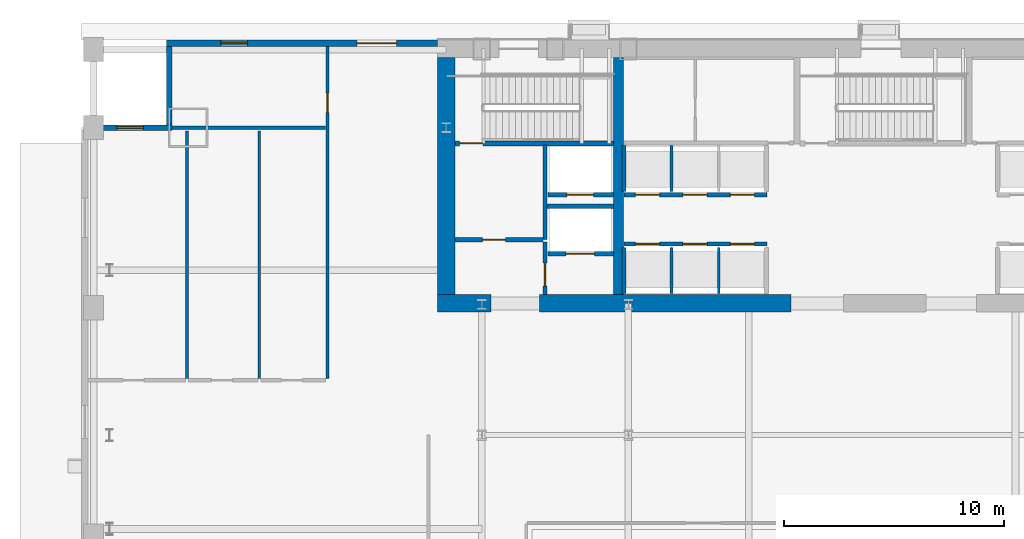
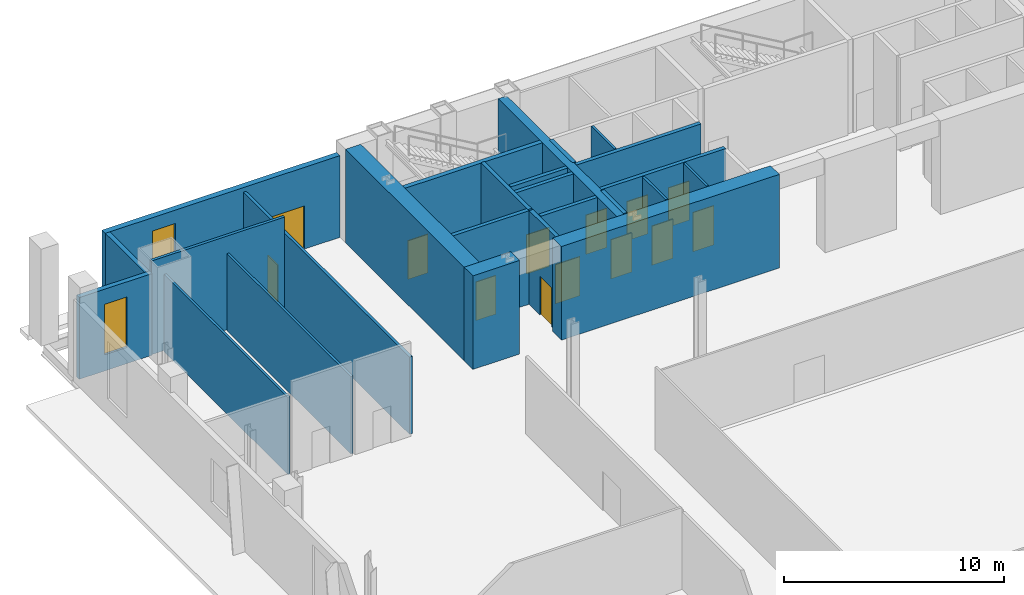
# One storey, part 9 of 16: 25 walls, 13 doors, 2 windows, 15 openings.
"""IFC4 building model written with IfcOpenShell, lengths in metres."""

from ifc_helpers import new_model, si_unit, direction, frame, frame_2d, origin, place, context, subcontext, project, spatial, rectangle, extrude, material, layer, layer_set, type_object, element, fill, save


model = new_model("IFC4")

# Units and contexts
model_context = context("Model", 3, precision=1e-05, world=origin(), true_north=direction((0.0, 1.0)))
body_context = subcontext(model_context, "Body", "Model", "MODEL_VIEW")
ifc_project = project(units=[si_unit("LENGTHUNIT", "METRE"), si_unit("AREAUNIT", "SQUARE_METRE"), si_unit("VOLUMEUNIT", "CUBIC_METRE"), si_unit("PLANEANGLEUNIT", "RADIAN"), si_unit("MASSUNIT", "GRAM", prefix="KILO")], contexts=[model_context])

# Site, building, storey
site_placement = place(None, origin())
site = spatial("IfcSite", under=ifc_project, at=site_placement, CompositionType="ELEMENT")
building_placement = place(site_placement, origin())
building = spatial("IfcBuilding", under=site, at=building_placement, Name="Khoronbel Lancet Exchange", CompositionType="ELEMENT")
storey_placement = place(building_placement, origin())
storey = spatial("IfcBuildingStorey", under=building, at=storey_placement, Name="L00", CompositionType="ELEMENT", Elevation=0.0)

# Walls
ifc_material_1 = material(Name="Concrete C80/95", Category="concrete")
ifc_layer_1 = layer(ifc_material_1, 0.800048828125, Name="Concrete C80/95")
ifc_layer_set_1 = layer_set([ifc_layer_1], Name="Concrete C80/95")
wall_type_1 = type_object("IfcWallType", Name="WL-CW1", PredefinedType="SHEAR", material=ifc_layer_set_1)
wall_1_placement = place(storey_placement, frame((16.60009765625, 42.10009765625, 0.0), z_axis=(0.0, 0.0, 1.0), x_axis=(0.0, 1.0, 0.0)))
element("IfcWall", 1, at=wall_1_placement, inside=storey, type_object=wall_type_1, Name="Level L00 rear core west shear wall", PredefinedType="SHEAR", context=body_context, shape_type="SweptSolid", body=[
    extrude(rectangle(XDim=10.7998046875, YDim=0.800048828125, at=frame_2d((5.39990234375, 0.0))), origin(), (0.0, 0.0, 1.0), 5.199951171875),
])
wall_2_placement = place(storey_placement, frame((18.64990234375, 41.699951171875, 0.0), z_axis=(0.0, 0.0, 1.0), x_axis=(-1.0, 0.0, 0.0)))
element("IfcWall", 2, at=wall_2_placement, inside=storey, type_object=wall_type_1, Name="Level L00 rear core south shear wall pier P1", PredefinedType="SHEAR", context=body_context, shape_type="SweptSolid", body=[
    extrude(rectangle(XDim=2.449951171875, YDim=0.800048828125, at=frame_2d((1.22509765625, 0.0))), origin(), (0.0, 0.0, 1.0), 5.199951171875),
])
wall_3_placement = place(storey_placement, frame((32.300048828125, 41.699951171875, 0.0), z_axis=(0.0, 0.0, 1.0), x_axis=(-1.0, 0.0, 0.0)))
element("IfcWall", 3, at=wall_3_placement, inside=storey, type_object=wall_type_1, Name="Level L00 rear core south shear wall pier P2", PredefinedType="SHEAR", context=body_context, shape_type="SweptSolid", body=[
    extrude(rectangle(XDim=11.449951171875, YDim=0.800048828125, at=frame_2d((5.72509765625, 0.0))), origin(), (0.0, 0.0, 1.0), 5.199951171875),
])

# Wall, opening, window
ifc_material_2 = material(Name="Precast concrete C40/50", Category="concrete")
ifc_layer_2 = layer(ifc_material_2, 0.25, Name="Precast concrete C40/50")
ifc_layer_set_2 = layer_set([ifc_layer_2], Name="Precast concrete C40/50")
wall_type_2 = type_object("IfcWallType", Name="WL-EXT250", PredefinedType="SOLIDWALL", material=ifc_layer_set_2)
wall_4_placement = place(storey_placement, frame((0.300048828125, 49.699951171875, 0.0), z_axis=(0.0, 0.0, 1.0), x_axis=(1.0, 0.0, 0.0)))
wall_4 = element("IfcWall", 4, at=wall_4_placement, inside=storey, type_object=wall_type_2, Name="Level L00 corner notch exterior wall NWL0", PredefinedType="SOLIDWALL", context=body_context, shape_type="SweptSolid", body=[
    extrude(rectangle(XDim=3.824951171875, YDim=0.25, at=frame_2d((1.91259765625, 0.0))), origin(), (0.0, 0.0, 1.0), 4.5400390625),
])
opening_1_placement = place(wall_4_placement, frame((1.3125, 0.0, 0.89990234375)))
opening_1 = element("IfcOpeningElement", 5, at=opening_1_placement, cuts=wall_4, Name="Opening W2", PredefinedType="OPENING", context=body_context, shape_type="SweptSolid", body=[
    extrude(rectangle(XDim=1.199951171875, YDim=2.800048828125, at=frame_2d((0.60009765625, 1.39990234375))), frame((0.0, 0.135009765625, 0.0), z_axis=(0.0, -1.0, 0.0), x_axis=(1.0, 0.0, 0.0)), (0.0, 0.0, 1.0), 0.27001953125),
])
ifc_material_3 = material(Name="Low-E Solar Control Insulating Glass", Category="glass")
window_type = type_object("IfcWindowType", Name="WIN-W2", PartitioningType="SINGLE_PANEL", PredefinedType="WINDOW", material=ifc_material_3)
window_1_placement = place(opening_1_placement, origin())
window_1 = element("IfcWindow", 6, at=window_1_placement, inside=storey, type_object=window_type, Name="WIN-L00-NWL0", OverallHeight=2.800048828125, OverallWidth=1.199951171875, PartitioningType="SINGLE_PANEL", PredefinedType="WINDOW", context=body_context, shape_type="SweptSolid", body=[
    extrude(rectangle(XDim=1.199951171875, YDim=2.800048828125, at=frame_2d((0.60009765625, 1.39990234375))), frame((0.0, 0.030029296875, 0.0), z_axis=(0.0, -1.0, 0.0), x_axis=(1.0, 0.0, 0.0)), (0.0, 0.0, 1.0), 0.06005859375),
])
fill(opening_1, window_1)

# Wall
wall_5_placement = place(storey_placement, frame((4.0, 49.824951171875, 0.0), z_axis=(0.0, 0.0, 1.0), x_axis=(0.0, 1.0, 0.0)))
element("IfcWall", 7, at=wall_5_placement, inside=storey, type_object=wall_type_2, Name="Level L00 corner notch exterior wall NWV0", PredefinedType="SOLIDWALL", context=body_context, shape_type="SweptSolid", body=[
    extrude(rectangle(XDim=3.574951171875, YDim=0.25, at=frame_2d((1.78759765625, 0.0))), origin(), (0.0, 0.0, 1.0), 4.5400390625),
])

# Wall, openings, door, window
ifc_layer_3 = layer(ifc_material_2, 0.300048828125, Name="Precast concrete C40/50")
ifc_layer_set_3 = layer_set([ifc_layer_3], Name="Precast concrete C40/50")
wall_type_3 = type_object("IfcWallType", Name="WL-EXT300", PredefinedType="SOLIDWALL", material=ifc_layer_set_3)
wall_6_placement = place(storey_placement, frame((3.875, 53.550048828125, 0.0), z_axis=(0.0, 0.0, 1.0), x_axis=(1.0, 0.0, 0.0)))
wall_6 = element("IfcWall", 8, at=wall_6_placement, inside=storey, type_object=wall_type_3, Name="Level L00 north-west stair discharge facade wall", PredefinedType="SOLIDWALL", context=body_context, shape_type="SweptSolid", body=[
    extrude(rectangle(XDim=12.324951171875, YDim=0.300048828125, at=frame_2d((6.16259765625, 0.0))), origin(), (0.0, 0.0, 1.0), 4.5400390625),
])
opening_2_placement = place(wall_6_placement, frame((8.675048828125, 0.0, 0.0)))
opening_2 = element("IfcOpeningElement", 9, at=opening_2_placement, cuts=wall_6, Name="Opening EX2", PredefinedType="OPENING", context=body_context, shape_type="SweptSolid", body=[
    extrude(rectangle(XDim=1.800048828125, YDim=2.39990234375, at=frame_2d((0.89990234375, 1.199951171875))), frame((0.0, 0.16015625, 0.0), z_axis=(0.0, -1.0, 0.0), x_axis=(1.0, 0.0, 0.0)), (0.0, 0.0, 1.0), 0.320068359375),
])
opening_3_placement = place(wall_6_placement, frame((2.47509765625, 0.0, 1.0)))
opening_3 = element("IfcOpeningElement", 10, at=opening_3_placement, cuts=wall_6, Name="Opening W2", PredefinedType="OPENING", context=body_context, shape_type="SweptSolid", body=[
    extrude(rectangle(XDim=1.199951171875, YDim=2.800048828125, at=frame_2d((0.60009765625, 1.39990234375))), frame((0.0, 0.16015625, 0.0), z_axis=(0.0, -1.0, 0.0), x_axis=(1.0, 0.0, 0.0)), (0.0, 0.0, 1.0), 0.320068359375),
])
ifc_material_4 = material(Name="Glazed Bronze-Anodised Aluminium Door Assembly", Category="aluminium")
door_type_1 = type_object("IfcDoorType", Name="DR-EX2", OperationType="NOTDEFINED", PredefinedType="DOOR", material=ifc_material_4)
door_1_placement = place(opening_2_placement, origin())
door_1 = element("IfcDoor", 11, at=door_1_placement, inside=storey, type_object=door_type_1, Name="North-west concourse arcade final exit EX-07", OperationType="DOUBLE_DOOR_SINGLE_SWING", OverallHeight=2.39990234375, OverallWidth=1.800048828125, PredefinedType="DOOR", context=body_context, shape_type="SweptSolid", body=[
    extrude(rectangle(XDim=1.800048828125, YDim=2.39990234375, at=frame_2d((0.89990234375, 1.199951171875))), frame((0.0, 0.02490234375, 0.0), z_axis=(0.0, -1.0, 0.0), x_axis=(1.0, 0.0, 0.0)), (0.0, 0.0, 1.0), 0.050048828125),
])
fill(opening_2, door_1)
window_2_placement = place(opening_3_placement, origin())
window_2 = element("IfcWindow", 12, at=window_2_placement, inside=storey, type_object=window_type, Name="WIN-L00-NW-1", OverallHeight=2.800048828125, OverallWidth=1.199951171875, PartitioningType="SINGLE_PANEL", PredefinedType="WINDOW", context=body_context, shape_type="SweptSolid", body=[
    extrude(rectangle(XDim=1.199951171875, YDim=2.800048828125, at=frame_2d((0.60009765625, 1.39990234375))), frame((0.0, 0.030029296875, 0.0), z_axis=(0.0, -1.0, 0.0), x_axis=(1.0, 0.0, 0.0)), (0.0, 0.0, 1.0), 0.06005859375),
])
fill(opening_3, window_2)

# Walls
ifc_material_5 = material(Name="Acoustic Metal-Stud & Mineral-Wool Gypsum Partition 120 mm", Category="gypsum")
ifc_layer_4 = layer(ifc_material_5, 0.1201171875, Name="Acoustic Metal-Stud & Mineral-Wool Gypsum Partition 120 mm")
ifc_layer_set_4 = layer_set([ifc_layer_4], Name="Acoustic Metal-Stud & Mineral-Wool Gypsum Partition 120 mm")
wall_type_4 = type_object("IfcWallType", Name="WL-PRT120", PredefinedType="PARTITIONING", material=ifc_layer_set_4)
for number, where, z_axis, x_axis, name in (
    (13, (4.800048828125, 38.280029296875, 0.0), (0.0, 0.0, 1.0), (0.0, 1.0, 0.0), "Level L00 interior partition PW-L00-WC1"),
    (14, (8.10009765625, 38.280029296875, 0.0), (0.0, 0.0, 1.0), (0.0, 1.0, 0.0), "Level L00 interior partition PW-L00-WC2"),
):
    element("IfcWall", number, at=place(storey_placement, frame(where, z_axis=z_axis, x_axis=x_axis)), inside=storey, type_object=wall_type_4, Name=name, PredefinedType="PARTITIONING", context=body_context, shape_type="SweptSolid", body=[
        extrude(rectangle(XDim=11.27001953125, YDim=0.1201171875, at=frame_2d((5.635009765625, 0.0))), origin(), (0.0, 0.0, 1.0), 4.2900390625),
    ])
ifc_material_6 = material(Name="Fire-Rated Metal-Stud & Mineral-Wool Gypsum Partition 120 mm", Category="gypsum")
ifc_layer_5 = layer(ifc_material_6, 0.1201171875, Name="Fire-Rated Metal-Stud & Mineral-Wool Gypsum Partition 120 mm")
ifc_layer_set_5 = layer_set([ifc_layer_5], Name="Fire-Rated Metal-Stud & Mineral-Wool Gypsum Partition 120 mm")
wall_type_5 = type_object("IfcWallType", Name="WL-PRT120F", PredefinedType="PARTITIONING", material=ifc_layer_set_5)
wall_7_placement = place(storey_placement, frame((26.860107421875, 46.800048828125, 0.0), z_axis=(0.0, 0.0, 1.0), x_axis=(0.0, 1.0, 0.0)))
element("IfcWall", 15, at=wall_7_placement, inside=storey, type_object=wall_type_5, Name="Level L00 interior partition CW-PL-D1", PredefinedType="PARTITIONING", context=body_context, shape_type="SweptSolid", body=[
    extrude(rectangle(XDim=2.094970703125, YDim=0.1201171875, at=frame_2d((1.04736328125, 0.0))), origin(), (0.0, 0.0, 1.0), 5.199951171875),
])
for number, where, z_axis, x_axis, name in (
    (16, (26.860107421875, 42.14990234375, 0.0), (0.0, 0.0, 1.0), (0.0, 1.0, 0.0), "Level L00 interior partition CW-PM-D1"),
    (17, (29.02001953125, 42.14990234375, 0.0), (0.0, 0.0, 1.0), (0.0, 1.0, 0.0), "Level L00 interior partition CW-PM-D2"),
):
    element("IfcWall", number, at=place(storey_placement, frame(where, z_axis=z_axis, x_axis=x_axis)), inside=storey, type_object=wall_type_5, Name=name, PredefinedType="PARTITIONING", context=body_context, shape_type="SweptSolid", body=[
        extrude(rectangle(XDim=2.10009765625, YDim=0.1201171875, at=frame_2d((1.050048828125, 0.0))), origin(), (0.0, 0.0, 1.0), 5.199951171875),
    ])
ifc_material_7 = material(Name="Fire-Rated Twin-Stud Acoustic Gypsum Partition 150 mm", Category="gypsum")
ifc_layer_6 = layer(ifc_material_7, 0.14990234375, Name="Fire-Rated Twin-Stud Acoustic Gypsum Partition 150 mm")
ifc_layer_set_6 = layer_set([ifc_layer_6], Name="Fire-Rated Twin-Stud Acoustic Gypsum Partition 150 mm")
wall_type_6 = type_object("IfcWallType", Name="WL-PRT150C", PredefinedType="PARTITIONING", material=ifc_layer_set_6)
wall_8_placement = place(storey_placement, frame((4.125, 49.699951171875, 0.0), z_axis=(0.0, 0.0, 1.0), x_axis=(1.0, 0.0, 0.0)))
element("IfcWall", 18, at=wall_8_placement, inside=storey, type_object=wall_type_6, Name="Level L00 interior partition PW-L00-WCN", PredefinedType="PARTITIONING", context=body_context, shape_type="SweptSolid", body=[
    extrude(rectangle(XDim=6.9951171875, YDim=0.14990234375, at=frame_2d((3.49755859375, 0.0))), origin(), (0.0, 0.0, 1.0), 5.199951171875),
])

# Wall, opening, door
wall_9_placement = place(storey_placement, frame((11.199951171875, 38.280029296875, 0.0), z_axis=(0.0, 0.0, 1.0), x_axis=(0.0, 1.0, 0.0)))
wall_9 = element("IfcWall", 19, at=wall_9_placement, inside=storey, type_object=wall_type_6, Name="Level L00 interior partition PW-L00-EXW", PredefinedType="PARTITIONING", context=body_context, shape_type="SweptSolid", body=[
    extrude(rectangle(XDim=15.119873046875, YDim=0.14990234375, at=frame_2d((7.56005859375, 0.0))), origin(), (0.0, 0.0, 1.0), 4.2900390625),
])
opening_4_placement = place(wall_9_placement, frame((12.10009765625, 0.0, 0.0)))
opening_4 = element("IfcOpeningElement", 20, at=opening_4_placement, cuts=wall_9, Name="Opening D5", PredefinedType="OPENING", context=body_context, shape_type="SweptSolid", body=[
    extrude(rectangle(XDim=0.89990234375, YDim=2.050048828125, at=frame_2d((0.449951171875, 1.02490234375))), frame((0.0, 0.0849609375, 0.0), z_axis=(0.0, -1.0, 0.0), x_axis=(1.0, 0.0, 0.0)), (0.0, 0.0, 1.0), 0.169921875),
])
ifc_material_8 = material(Name="Acoustic Timber Pantry & Support Door", Category="wood")
door_type_2 = type_object("IfcDoorType", Name="DR-D5", OperationType="NOTDEFINED", PredefinedType="DOOR", material=ifc_material_8)
door_2_placement = place(opening_4_placement, origin())
door_2 = element("IfcDoor", 21, at=door_2_placement, inside=storey, type_object=door_type_2, Name="Ground concourse cleaners store door L00-1", OperationType="SINGLE_SWING_RIGHT", OverallHeight=2.050048828125, OverallWidth=0.89990234375, PredefinedType="DOOR", context=body_context, shape_type="SweptSolid", body=[
    extrude(rectangle(XDim=0.89990234375, YDim=2.050048828125, at=frame_2d((0.449951171875, 1.02490234375))), frame((0.0, 0.02490234375, 0.0), z_axis=(0.0, -1.0, 0.0), x_axis=(1.0, 0.0, 0.0)), (0.0, 0.0, 1.0), 0.050048828125),
])
fill(opening_4, door_2)

# Wall, openings, doors
ifc_material_9 = material(Name="Autoclaved Aerated Concrete Blockwork 200 mm", Category="masonry")
ifc_layer_7 = layer(ifc_material_9, 0.199951171875, Name="Autoclaved Aerated Concrete Blockwork 200 mm")
ifc_layer_set_7 = layer_set([ifc_layer_7], Name="Autoclaved Aerated Concrete Blockwork 200 mm")
wall_type_7 = type_object("IfcWallType", Name="WL-PRT200", PredefinedType="PARTITIONING", material=ifc_layer_set_7)
wall_10_placement = place(storey_placement, frame((24.68994140625, 44.39990234375, 0.0), z_axis=(0.0, 0.0, 1.0), x_axis=(1.0, 0.0, 0.0)))
wall_10 = element("IfcWall", 22, at=wall_10_placement, inside=storey, type_object=wall_type_7, Name="Level L00 elevator hoistway landing front wall PMW", PredefinedType="PARTITIONING", context=body_context, shape_type="SweptSolid", body=[
    extrude(rectangle(XDim=6.530029296875, YDim=0.199951171875, at=frame_2d((3.26513671875, 0.0))), origin(), (0.0, 0.0, 1.0), 5.199951171875),
])
opening_5_placement = place(wall_10_placement, frame((0.530029296875, 0.0, 0.0)))
opening_5 = element("IfcOpeningElement", 23, at=opening_5_placement, cuts=wall_10, Name="Opening LD-PM1", PredefinedType="OPENING", context=body_context, shape_type="SweptSolid", body=[
    extrude(rectangle(XDim=1.10009765625, YDim=2.179931640625, at=frame_2d((0.550048828125, 1.08984375))), frame((0.0, 0.10986328125, 0.0), z_axis=(0.0, -1.0, 0.0), x_axis=(1.0, 0.0, 0.0)), (0.0, 0.0, 1.0), 0.219970703125),
])
opening_6_placement = place(wall_10_placement, frame((2.68994140625, 0.0, 0.0)))
opening_6 = element("IfcOpeningElement", 24, at=opening_6_placement, cuts=wall_10, Name="Opening LD-PM2", PredefinedType="OPENING", context=body_context, shape_type="SweptSolid", body=[
    extrude(rectangle(XDim=1.10009765625, YDim=2.179931640625, at=frame_2d((0.550048828125, 1.08984375))), frame((0.0, 0.10986328125, 0.0), z_axis=(0.0, -1.0, 0.0), x_axis=(1.0, 0.0, 0.0)), (0.0, 0.0, 1.0), 0.219970703125),
])
opening_7_placement = place(wall_10_placement, frame((4.85009765625, 0.0, 0.0)))
opening_7 = element("IfcOpeningElement", 25, at=opening_7_placement, cuts=wall_10, Name="Opening LD-PM3", PredefinedType="OPENING", context=body_context, shape_type="SweptSolid", body=[
    extrude(rectangle(XDim=1.10009765625, YDim=2.179931640625, at=frame_2d((0.550048828125, 1.08984375))), frame((0.0, 0.10986328125, 0.0), z_axis=(0.0, -1.0, 0.0), x_axis=(1.0, 0.0, 0.0)), (0.0, 0.0, 1.0), 0.219970703125),
])
ifc_material_10 = material(Name="Brushed Bronze Bi-Parting Elevator Landing Door", Category="steel")
door_type_3 = type_object("IfcDoorType", Name="DR-LD-PAX", OperationType="NOTDEFINED", PredefinedType="DOOR", material=ifc_material_10)
door_3_placement = place(opening_5_placement, origin())
door_3 = element("IfcDoor", 26, at=door_3_placement, inside=storey, type_object=door_type_3, Name="Elevator landing sliding door LD-PM1 L00", OperationType="SLIDING_TO_LEFT", OverallHeight=2.179931640625, OverallWidth=1.10009765625, PredefinedType="DOOR", context=body_context, shape_type="SweptSolid", body=[
    extrude(rectangle(XDim=1.10009765625, YDim=2.179931640625, at=frame_2d((0.550048828125, 1.08984375))), frame((0.0, 0.02490234375, 0.0), z_axis=(0.0, -1.0, 0.0), x_axis=(1.0, 0.0, 0.0)), (0.0, 0.0, 1.0), 0.050048828125),
])
fill(opening_5, door_3)
door_4_placement = place(opening_6_placement, origin())
door_4 = element("IfcDoor", 27, at=door_4_placement, inside=storey, type_object=door_type_3, Name="Elevator landing sliding door LD-PM2 L00", OperationType="SLIDING_TO_LEFT", OverallHeight=2.179931640625, OverallWidth=1.10009765625, PredefinedType="DOOR", context=body_context, shape_type="SweptSolid", body=[
    extrude(rectangle(XDim=1.10009765625, YDim=2.179931640625, at=frame_2d((0.550048828125, 1.08984375))), frame((0.0, 0.02490234375, 0.0), z_axis=(0.0, -1.0, 0.0), x_axis=(1.0, 0.0, 0.0)), (0.0, 0.0, 1.0), 0.050048828125),
])
fill(opening_6, door_4)
door_5_placement = place(opening_7_placement, origin())
door_5 = element("IfcDoor", 28, at=door_5_placement, inside=storey, type_object=door_type_3, Name="Elevator landing sliding door LD-PM3 L00", OperationType="SLIDING_TO_LEFT", OverallHeight=2.179931640625, OverallWidth=1.10009765625, PredefinedType="DOOR", context=body_context, shape_type="SweptSolid", body=[
    extrude(rectangle(XDim=1.10009765625, YDim=2.179931640625, at=frame_2d((0.550048828125, 1.08984375))), frame((0.0, 0.02490234375, 0.0), z_axis=(0.0, -1.0, 0.0), x_axis=(1.0, 0.0, 0.0)), (0.0, 0.0, 1.0), 0.050048828125),
])
fill(opening_7, door_5)

# Wall, opening, door
wall_11_placement = place(storey_placement, frame((24.2099609375, 43.949951171875, 0.0), z_axis=(0.0, 0.0, 1.0), x_axis=(-1.0, 0.0, 0.0)))
wall_11 = element("IfcWall", 29, at=wall_11_placement, inside=storey, type_object=wall_type_7, Name="Level L00 elevator hoistway landing front wall SVLW", PredefinedType="PARTITIONING", context=body_context, shape_type="SweptSolid", body=[
    extrude(rectangle(XDim=2.969970703125, YDim=0.199951171875, at=frame_2d((1.48486328125, 0.0))), origin(), (0.0, 0.0, 1.0), 5.199951171875),
])
opening_8_placement = place(wall_11_placement, frame((0.860107421875, 0.0, 0.0)))
opening_8 = element("IfcOpeningElement", 30, at=opening_8_placement, cuts=wall_11, Name="Opening LD-SVL1", PredefinedType="OPENING", context=body_context, shape_type="SweptSolid", body=[
    extrude(rectangle(XDim=1.300048828125, YDim=2.179931640625, at=frame_2d((0.64990234375, 1.08984375))), frame((0.0, 0.10986328125, 0.0), z_axis=(0.0, -1.0, 0.0), x_axis=(1.0, 0.0, 0.0)), (0.0, 0.0, 1.0), 0.219970703125),
])
ifc_material_11 = material(Name="Heavy-Duty Bi-Parting Goods Lift Landing Door", Category="steel")
door_type_4 = type_object("IfcDoorType", Name="DR-LD-SVL", OperationType="NOTDEFINED", PredefinedType="DOOR", material=ifc_material_11)
door_6_placement = place(opening_8_placement, origin())
door_6 = element("IfcDoor", 31, at=door_6_placement, inside=storey, type_object=door_type_4, Name="Elevator landing sliding door LD-SVL1 L00", OperationType="SLIDING_TO_LEFT", OverallHeight=2.179931640625, OverallWidth=1.300048828125, PredefinedType="DOOR", context=body_context, shape_type="SweptSolid", body=[
    extrude(rectangle(XDim=1.300048828125, YDim=2.179931640625, at=frame_2d((0.64990234375, 1.08984375))), frame((0.0, 0.02490234375, 0.0), z_axis=(0.0, -1.0, 0.0), x_axis=(1.0, 0.0, 0.0)), (0.0, 0.0, 1.0), 0.050048828125),
])
fill(opening_8, door_6)

wall_12_placement = place(storey_placement, frame((24.2099609375, 46.64990234375, 0.0), z_axis=(0.0, 0.0, 1.0), x_axis=(-1.0, 0.0, 0.0)))
wall_12 = element("IfcWall", 32, at=wall_12_placement, inside=storey, type_object=wall_type_7, Name="Level L00 elevator hoistway landing front wall FFLW", PredefinedType="PARTITIONING", context=body_context, shape_type="SweptSolid", body=[
    extrude(rectangle(XDim=2.969970703125, YDim=0.199951171875, at=frame_2d((1.48486328125, 0.0))), origin(), (0.0, 0.0, 1.0), 5.199951171875),
])
opening_9_placement = place(wall_12_placement, frame((0.909912109375, 0.0, 0.0)))
opening_9 = element("IfcOpeningElement", 33, at=opening_9_placement, cuts=wall_12, Name="Opening LD-FFL1", PredefinedType="OPENING", context=body_context, shape_type="SweptSolid", body=[
    extrude(rectangle(XDim=1.199951171875, YDim=2.179931640625, at=frame_2d((0.60009765625, 1.08984375))), frame((0.0, 0.10986328125, 0.0), z_axis=(0.0, -1.0, 0.0), x_axis=(1.0, 0.0, 0.0)), (0.0, 0.0, 1.0), 0.219970703125),
])
ifc_material_12 = material(Name="Fire-Rated Stainless Bi-Parting Firefighting Lift Door", Category="steel")
door_type_5 = type_object("IfcDoorType", Name="DR-LD-FFL", OperationType="NOTDEFINED", PredefinedType="DOOR", material=ifc_material_12)
door_7_placement = place(opening_9_placement, origin())
door_7 = element("IfcDoor", 34, at=door_7_placement, inside=storey, type_object=door_type_5, Name="Elevator landing sliding door LD-FFL1 L00", OperationType="SLIDING_TO_LEFT", OverallHeight=2.179931640625, OverallWidth=1.199951171875, PredefinedType="DOOR", context=body_context, shape_type="SweptSolid", body=[
    extrude(rectangle(XDim=1.199951171875, YDim=2.179931640625, at=frame_2d((0.60009765625, 1.08984375))), frame((0.0, 0.02490234375, 0.0), z_axis=(0.0, -1.0, 0.0), x_axis=(1.0, 0.0, 0.0)), (0.0, 0.0, 1.0), 0.050048828125),
])
fill(opening_9, door_7)

# Wall, openings, doors
wall_13_placement = place(storey_placement, frame((31.219970703125, 46.64990234375, 0.0), z_axis=(0.0, 0.0, 1.0), x_axis=(-1.0, 0.0, 0.0)))
wall_13 = element("IfcWall", 35, at=wall_13_placement, inside=storey, type_object=wall_type_7, Name="Level L00 elevator hoistway landing front wall PLW", PredefinedType="PARTITIONING", context=body_context, shape_type="SweptSolid", body=[
    extrude(rectangle(XDim=6.530029296875, YDim=0.199951171875, at=frame_2d((3.26513671875, 0.0))), origin(), (0.0, 0.0, 1.0), 5.199951171875),
])
opening_10_placement = place(wall_13_placement, frame((4.89990234375, 0.0, 0.0)))
opening_10 = element("IfcOpeningElement", 36, at=opening_10_placement, cuts=wall_13, Name="Opening LD-PL1", PredefinedType="OPENING", context=body_context, shape_type="SweptSolid", body=[
    extrude(rectangle(XDim=1.10009765625, YDim=2.179931640625, at=frame_2d((0.550048828125, 1.08984375))), frame((0.0, 0.10986328125, 0.0), z_axis=(0.0, -1.0, 0.0), x_axis=(1.0, 0.0, 0.0)), (0.0, 0.0, 1.0), 0.219970703125),
])
opening_11_placement = place(wall_13_placement, frame((2.739990234375, 0.0, 0.0)))
opening_11 = element("IfcOpeningElement", 37, at=opening_11_placement, cuts=wall_13, Name="Opening LD-PL2", PredefinedType="OPENING", context=body_context, shape_type="SweptSolid", body=[
    extrude(rectangle(XDim=1.10009765625, YDim=2.179931640625, at=frame_2d((0.550048828125, 1.08984375))), frame((0.0, 0.10986328125, 0.0), z_axis=(0.0, -1.0, 0.0), x_axis=(1.0, 0.0, 0.0)), (0.0, 0.0, 1.0), 0.219970703125),
])
opening_12_placement = place(wall_13_placement, frame((0.580078125, 0.0, 0.0)))
opening_12 = element("IfcOpeningElement", 38, at=opening_12_placement, cuts=wall_13, Name="Opening LD-PL3", PredefinedType="OPENING", context=body_context, shape_type="SweptSolid", body=[
    extrude(rectangle(XDim=1.10009765625, YDim=2.179931640625, at=frame_2d((0.550048828125, 1.08984375))), frame((0.0, 0.10986328125, 0.0), z_axis=(0.0, -1.0, 0.0), x_axis=(1.0, 0.0, 0.0)), (0.0, 0.0, 1.0), 0.219970703125),
])
door_8_placement = place(opening_10_placement, origin())
door_8 = element("IfcDoor", 39, at=door_8_placement, inside=storey, type_object=door_type_3, Name="Elevator landing sliding door LD-PL1 L00", OperationType="SLIDING_TO_LEFT", OverallHeight=2.179931640625, OverallWidth=1.10009765625, PredefinedType="DOOR", context=body_context, shape_type="SweptSolid", body=[
    extrude(rectangle(XDim=1.10009765625, YDim=2.179931640625, at=frame_2d((0.550048828125, 1.08984375))), frame((0.0, 0.02490234375, 0.0), z_axis=(0.0, -1.0, 0.0), x_axis=(1.0, 0.0, 0.0)), (0.0, 0.0, 1.0), 0.050048828125),
])
fill(opening_10, door_8)
door_9_placement = place(opening_11_placement, origin())
door_9 = element("IfcDoor", 40, at=door_9_placement, inside=storey, type_object=door_type_3, Name="Elevator landing sliding door LD-PL2 L00", OperationType="SLIDING_TO_LEFT", OverallHeight=2.179931640625, OverallWidth=1.10009765625, PredefinedType="DOOR", context=body_context, shape_type="SweptSolid", body=[
    extrude(rectangle(XDim=1.10009765625, YDim=2.179931640625, at=frame_2d((0.550048828125, 1.08984375))), frame((0.0, 0.02490234375, 0.0), z_axis=(0.0, -1.0, 0.0), x_axis=(1.0, 0.0, 0.0)), (0.0, 0.0, 1.0), 0.050048828125),
])
fill(opening_11, door_9)
door_10_placement = place(opening_12_placement, origin())
door_10 = element("IfcDoor", 41, at=door_10_placement, inside=storey, type_object=door_type_3, Name="Elevator landing sliding door LD-PL3 L00", OperationType="SLIDING_TO_LEFT", OverallHeight=2.179931640625, OverallWidth=1.10009765625, PredefinedType="DOOR", context=body_context, shape_type="SweptSolid", body=[
    extrude(rectangle(XDim=1.10009765625, YDim=2.179931640625, at=frame_2d((0.550048828125, 1.08984375))), frame((0.0, 0.02490234375, 0.0), z_axis=(0.0, -1.0, 0.0), x_axis=(1.0, 0.0, 0.0)), (0.0, 0.0, 1.0), 0.050048828125),
])
fill(opening_12, door_10)

# Wall
wall_14_placement = place(storey_placement, frame((21.10009765625, 44.60009765625, 0.0), z_axis=(0.0, 0.0, 1.0), x_axis=(0.0, 1.0, 0.0)))
element("IfcWall", 42, at=wall_14_placement, inside=storey, type_object=wall_type_7, Name="Level L00 interior partition CW-FFLW-E", PredefinedType="PARTITIONING", context=body_context, shape_type="SweptSolid", body=[
    extrude(rectangle(XDim=4.2998046875, YDim=0.199951171875, at=frame_2d((2.14990234375, 0.0))), origin(), (0.0, 0.0, 1.0), 5.199951171875),
])

# Wall, opening, door
wall_15_placement = place(storey_placement, frame((17.0, 44.60009765625, 0.0), z_axis=(0.0, 0.0, 1.0), x_axis=(1.0, 0.0, 0.0)))
wall_15 = element("IfcWall", 43, at=wall_15_placement, inside=storey, type_object=wall_type_7, Name="Level L00 interior partition CW-FFLW-S", PredefinedType="PARTITIONING", context=body_context, shape_type="SweptSolid", body=[
    extrude(rectangle(XDim=4.0, YDim=0.199951171875, at=frame_2d((2.0, 0.0))), origin(), (0.0, 0.0, 1.0), 5.199951171875),
])
opening_13_placement = place(wall_15_placement, frame((1.25, 0.0, 0.0)))
opening_13 = element("IfcOpeningElement", 44, at=opening_13_placement, cuts=wall_15, Name="Opening FD1", PredefinedType="OPENING", context=body_context, shape_type="SweptSolid", body=[
    extrude(rectangle(XDim=1.050048828125, YDim=2.14990234375, at=frame_2d((0.52490234375, 1.074951171875))), frame((0.0, 0.10986328125, 0.0), z_axis=(0.0, -1.0, 0.0), x_axis=(1.0, 0.0, 0.0)), (0.0, 0.0, 1.0), 0.219970703125),
])
ifc_material_13 = material(Name="Fire-Rated Painted Steel Door Assembly", Category="steel")
door_type_6 = type_object("IfcDoorType", Name="DR-FD1", OperationType="NOTDEFINED", PredefinedType="DOOR", material=ifc_material_13)
door_11_placement = place(opening_13_placement, origin())
door_11 = element("IfcDoor", 45, at=door_11_placement, inside=storey, type_object=door_type_6, Name="West firefighting lobby FD90S door L00-1", OperationType="SINGLE_SWING_RIGHT", OverallHeight=2.14990234375, OverallWidth=1.050048828125, PredefinedType="DOOR", context=body_context, shape_type="SweptSolid", body=[
    extrude(rectangle(XDim=1.050048828125, YDim=2.14990234375, at=frame_2d((0.52490234375, 1.074951171875))), frame((0.0, 0.02490234375, 0.0), z_axis=(0.0, -1.0, 0.0), x_axis=(1.0, 0.0, 0.0)), (0.0, 0.0, 1.0), 0.050048828125),
])
fill(opening_13, door_11)

# Wall
wall_16_placement = place(storey_placement, frame((21.199951171875, 46.1201171875, 0.0), z_axis=(0.0, 0.0, 1.0), x_axis=(1.0, 0.0, 0.0)))
element("IfcWall", 46, at=wall_16_placement, inside=storey, type_object=wall_type_7, Name="Level L00 interior partition CW-FFL1-S", PredefinedType="PARTITIONING", context=body_context, shape_type="SweptSolid", body=[
    extrude(rectangle(XDim=3.02001953125, YDim=0.199951171875, at=frame_2d((1.510009765625, 0.0))), origin(), (0.0, 0.0, 1.0), 5.199951171875),
])

# Wall, opening, door
wall_17_placement = place(storey_placement, frame((21.10009765625, 42.10009765625, 0.0), z_axis=(0.0, 0.0, 1.0), x_axis=(0.0, 1.0, 0.0)))
wall_17 = element("IfcWall", 47, at=wall_17_placement, inside=storey, type_object=wall_type_7, Name="Level L00 interior partition CW-SVLW-W", PredefinedType="PARTITIONING", context=body_context, shape_type="SweptSolid", body=[
    extrude(rectangle(XDim=2.39501953125, YDim=0.199951171875, at=frame_2d((1.197509765625, 0.0))), origin(), (0.0, 0.0, 1.0), 5.199951171875),
])
opening_14_placement = place(wall_17_placement, frame((0.3798828125, 0.0, 0.0)))
opening_14 = element("IfcOpeningElement", 48, at=opening_14_placement, cuts=wall_17, Name="Opening FD1", PredefinedType="OPENING", context=body_context, shape_type="SweptSolid", body=[
    extrude(rectangle(XDim=1.050048828125, YDim=2.14990234375, at=frame_2d((0.52490234375, 1.074951171875))), frame((0.0, 0.10986328125, 0.0), z_axis=(0.0, -1.0, 0.0), x_axis=(1.0, 0.0, 0.0)), (0.0, 0.0, 1.0), 0.219970703125),
])
door_12_placement = place(opening_14_placement, origin())
door_12 = element("IfcDoor", 49, at=door_12_placement, inside=storey, type_object=door_type_6, Name="West service lift lobby door L00-1", OperationType="SINGLE_SWING_LEFT", OverallHeight=2.14990234375, OverallWidth=1.050048828125, PredefinedType="DOOR", context=body_context, shape_type="SweptSolid", body=[
    extrude(rectangle(XDim=1.050048828125, YDim=2.14990234375, at=frame_2d((0.52490234375, 1.074951171875))), frame((0.0, 0.02490234375, 0.0), z_axis=(0.0, -1.0, 0.0), x_axis=(1.0, 0.0, 0.0)), (0.0, 0.0, 1.0), 0.050048828125),
])
fill(opening_14, door_12)

# Walls
wall_18_placement = place(storey_placement, frame((24.699951171875, 46.800048828125, 0.0), z_axis=(0.0, 0.0, 1.0), x_axis=(0.0, 1.0, 0.0)))
element("IfcWall", 50, at=wall_18_placement, inside=storey, type_object=wall_type_7, Name="Level L00 interior partition CW-PL-W", PredefinedType="PARTITIONING", context=body_context, shape_type="SweptSolid", body=[
    extrude(rectangle(XDim=2.094970703125, YDim=0.199951171875, at=frame_2d((1.04736328125, 0.0))), origin(), (0.0, 0.0, 1.0), 5.199951171875),
])
wall_19_placement = place(storey_placement, frame((24.699951171875, 42.14990234375, 0.0), z_axis=(0.0, 0.0, 1.0), x_axis=(0.0, 1.0, 0.0)))
element("IfcWall", 51, at=wall_19_placement, inside=storey, type_object=wall_type_7, Name="Level L00 interior partition CW-PM-W", PredefinedType="PARTITIONING", context=body_context, shape_type="SweptSolid", body=[
    extrude(rectangle(XDim=2.10009765625, YDim=0.199951171875, at=frame_2d((1.050048828125, 0.0))), origin(), (0.0, 0.0, 1.0), 5.199951171875),
])
ifc_layer_8 = layer(ifc_material_1, 0.449951171875, Name="Concrete C80/95")
ifc_layer_set_8 = layer_set([ifc_layer_8], Name="Concrete C80/95")
wall_type_8 = type_object("IfcWallType", Name="WL-SW1", PredefinedType="SHEAR", material=ifc_layer_set_8)
wall_20_placement = place(storey_placement, frame((24.449951171875, 42.10009765625, 0.0), z_axis=(0.0, 0.0, 1.0), x_axis=(0.0, 1.0, 0.0)))
element("IfcWall", 52, at=wall_20_placement, inside=storey, type_object=wall_type_8, Name="Level L00 rear core internal spine shear wall IW", PredefinedType="SHEAR", context=body_context, shape_type="SweptSolid", body=[
    extrude(rectangle(XDim=10.7998046875, YDim=0.449951171875, at=frame_2d((5.39990234375, 0.0))), origin(), (0.0, 0.0, 1.0), 5.199951171875),
])

# Wall, opening, door
ifc_material_14 = material(Name="Concrete C60/75", Category="concrete")
ifc_layer_9 = layer(ifc_material_14, 0.260009765625, Name="Concrete C60/75")
ifc_layer_set_9 = layer_set([ifc_layer_9], Name="Concrete C60/75")
wall_type_9 = type_object("IfcWallType", Name="WL-SW3", PredefinedType="SHEAR", material=ifc_layer_set_9)
wall_21_placement = place(storey_placement, frame((17.0, 48.97998046875, 0.0), z_axis=(0.0, 0.0, 1.0), x_axis=(1.0, 0.0, 0.0)))
wall_21 = element("IfcWall", 53, at=wall_21_placement, inside=storey, type_object=wall_type_9, Name="Level L00 west stairwell structural south wall", PredefinedType="SHEAR", context=body_context, shape_type="SweptSolid", body=[
    extrude(rectangle(XDim=7.219970703125, YDim=0.239990234375, at=frame_2d((3.60986328125, 0.0))), origin(), (0.0, 0.0, 1.0), 5.199951171875),
])
opening_15_placement = place(wall_21_placement, frame((0.219970703125, 0.0, 0.0)))
opening_15 = element("IfcOpeningElement", 54, at=opening_15_placement, cuts=wall_21, Name="Opening SD1", PredefinedType="OPENING", context=body_context, shape_type="SweptSolid", body=[
    extrude(rectangle(XDim=1.050048828125, YDim=2.14990234375, at=frame_2d((0.52490234375, 1.074951171875))), frame((0.0, 0.1298828125, 0.0), z_axis=(0.0, -1.0, 0.0), x_axis=(1.0, 0.0, 0.0)), (0.0, 0.0, 1.0), 0.260009765625),
])
ifc_material_15 = material(Name="Fire-Rated Steel Stairwell Door Assembly", Category="steel")
door_type_7 = type_object("IfcDoorType", Name="DR-SD1", OperationType="NOTDEFINED", PredefinedType="DOOR", material=ifc_material_15)
door_13_placement = place(opening_15_placement, origin())
door_13 = element("IfcDoor", 55, at=door_13_placement, inside=storey, type_object=door_type_7, Name="Protected exit stair ST1 door L00", OperationType="SINGLE_SWING_LEFT", OverallHeight=2.14990234375, OverallWidth=1.050048828125, PredefinedType="DOOR", context=body_context, shape_type="SweptSolid", body=[
    extrude(rectangle(XDim=1.050048828125, YDim=2.14990234375, at=frame_2d((0.52490234375, 1.074951171875))), frame((0.0, 0.02490234375, 0.0), z_axis=(0.0, -1.0, 0.0), x_axis=(1.0, 0.0, 0.0)), (0.0, 0.0, 1.0), 0.050048828125),
])
fill(opening_15, door_13)

save(model, "model.ifc")
